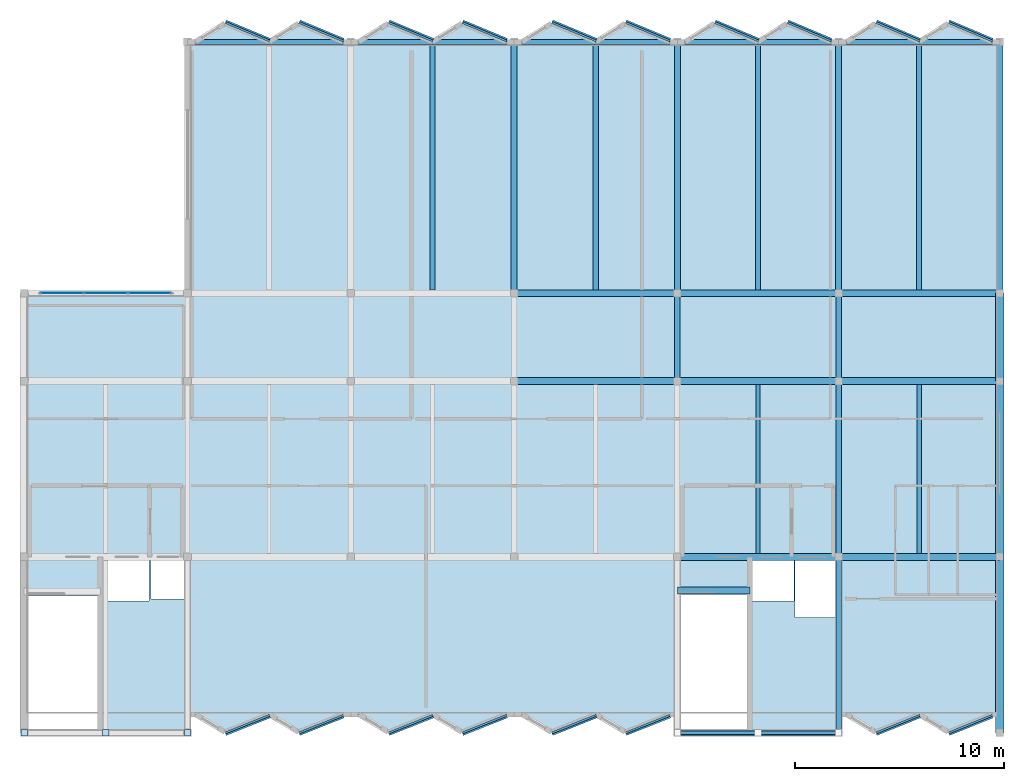
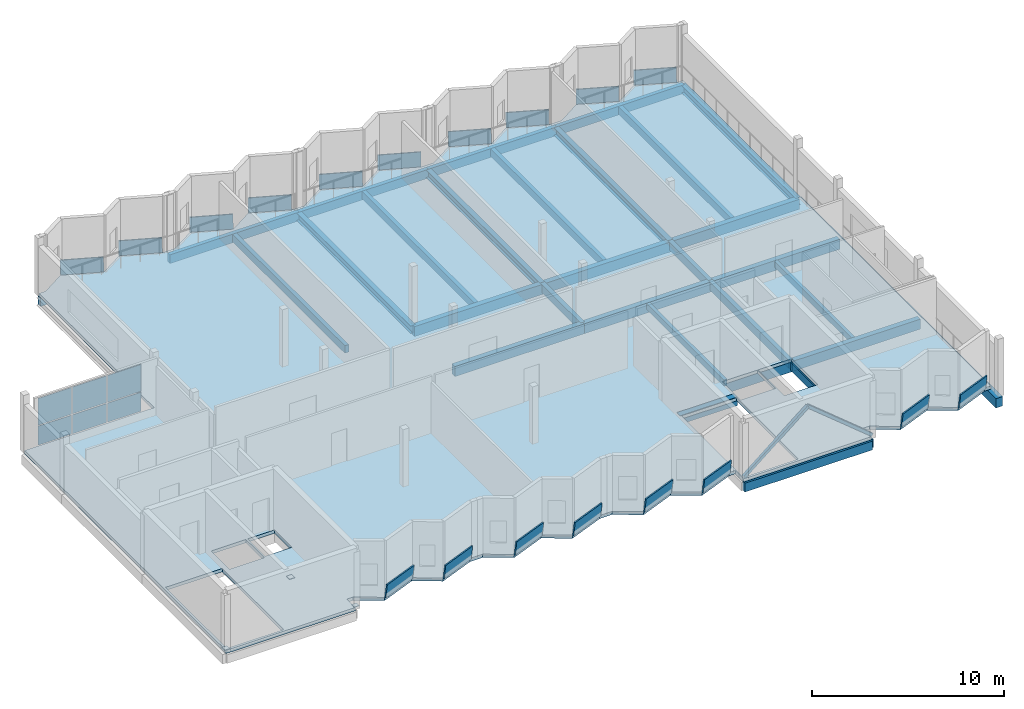
# One storey, part 3 of 8: 32 beams, 27 plates, 2 members, 1 slab, 1 element without a shape of its own.
"""IFC4 building model written with IfcOpenShell, lengths in metres."""

from ifc_helpers import new_model, si_unit, direction, frame, origin, origin_2d, place, context, subcontext, project, spatial, polyline, rectangle, hollow_rectangle, i_section, outline, extrude, material, layer, layer_set, material_profile, profile_set, type_object, element, aggregate, save


model = new_model("IFC4")

# Units and contexts
model_context = context("Model", 3, precision=1e-05, world=origin(), true_north=direction((0.0, 1.0)))
body_context = subcontext(model_context, "Body", "Model", "MODEL_VIEW")
ifc_project = project(units=[si_unit("LENGTHUNIT", "METRE"), si_unit("AREAUNIT", "SQUARE_METRE"), si_unit("VOLUMEUNIT", "CUBIC_METRE"), si_unit("PLANEANGLEUNIT", "RADIAN"), si_unit("MASSUNIT", "GRAM", prefix="KILO")], contexts=[model_context])

# Site, building, storey
site_placement = place(None, origin())
site = spatial("IfcSite", under=ifc_project, at=site_placement, CompositionType="ELEMENT")
building_placement = place(site_placement, origin())
building = spatial("IfcBuilding", under=site, at=building_placement, Name="Vharandega Faculty of Natural Sciences", CompositionType="ELEMENT")
storey_placement = place(building_placement, frame((0.0, 0.0, 43.199951171875)))
storey = spatial("IfcBuildingStorey", under=building, at=storey_placement, Name="L11", CompositionType="ELEMENT", Elevation=43.199951171875)

# Beams
ifc_material_1 = material(Name="Glulam GL28h", Category="wood")
ifc_material_profile_1 = material_profile(ifc_material_1, rectangle(XDim=0.260009765625, YDim=0.52001953125, at=origin_2d()), Name="GL28h 260x520")
ifc_profile_set_1 = profile_set([ifc_material_profile_1], Name="Glulam GL28h")
beam_type_1 = type_object("IfcBeamType", Name="Glulam Floor Beam 260x520", PredefinedType="BEAM", material=ifc_profile_set_1)
beam_1_placement = place(storey_placement, frame((146.0, 80.800048828125, -0.469970703125), z_axis=(0.0, 1.0, 0.0), x_axis=(-1.0, 0.0, 0.0)))
element("IfcBeam", 1, at=beam_1_placement, inside=storey, type_object=beam_type_1, Name="Beam L11 19/L-M", PredefinedType="BEAM", context=body_context, shape_type="SweptSolid", body=[
    extrude(rectangle(XDim=0.260009765625, YDim=0.52001953125, at=origin_2d()), origin(), (0.0, 0.0, 1.0), 4.199951171875),
])
beam_2_placement = place(storey_placement, frame((153.699951171875, 64.0, -0.469970703125), z_axis=(0.0, 1.0, 0.0), x_axis=(-1.0, 0.0, 0.0)))
element("IfcBeam", 2, at=beam_2_placement, inside=storey, type_object=beam_type_1, Name="Beam L11 20/J-K", PredefinedType="BEAM", context=body_context, shape_type="SweptSolid", body=[
    extrude(rectangle(XDim=0.260009765625, YDim=0.52001953125, at=origin_2d()), origin(), (0.0, 0.0, 1.0), 8.39990234375),
])
beam_3_placement = place(storey_placement, frame((153.699951171875, 72.39990234375, -0.469970703125), z_axis=(0.0, 1.0, 0.0), x_axis=(-1.0, 0.0, 0.0)))
element("IfcBeam", 3, at=beam_3_placement, inside=storey, type_object=beam_type_1, Name="Beam L11 20/K-L", PredefinedType="BEAM", context=body_context, shape_type="SweptSolid", body=[
    extrude(rectangle(XDim=0.260009765625, YDim=0.52001953125, at=origin_2d()), origin(), (0.0, 0.0, 1.0), 8.400146484375),
])
beam_4_placement = place(storey_placement, frame((153.699951171875, 80.800048828125, -0.469970703125), z_axis=(0.0, 1.0, 0.0), x_axis=(-1.0, 0.0, 0.0)))
element("IfcBeam", 4, at=beam_4_placement, inside=storey, type_object=beam_type_1, Name="Beam L11 20/L-M", PredefinedType="BEAM", context=body_context, shape_type="SweptSolid", body=[
    extrude(rectangle(XDim=0.260009765625, YDim=0.52001953125, at=origin_2d()), origin(), (0.0, 0.0, 1.0), 4.199951171875),
])
ifc_material_2 = material(Name="Glulam GL28h", Category="wood")
ifc_material_profile_2 = material_profile(ifc_material_2, rectangle(XDim=0.320068359375, YDim=0.639892578125, at=origin_2d()), Name="GL28h 320x640")
ifc_profile_set_2 = profile_set([ifc_material_profile_2], Name="Glulam GL28h")
beam_type_2 = type_object("IfcBeamType", Name="Glulam Floor Beam 320x640", PredefinedType="BEAM", material=ifc_profile_set_2)
for number, where, z_axis, x_axis, name in (
    (5, (146.0, 72.39990234375, -0.530029296875), (1.0, 0.0, 0.0), (0.0, 1.0, 0.0), "Beam L11 K/19-20"),
    (6, (153.699951171875, 72.39990234375, -0.530029296875), (1.0, 0.0, 0.0), (0.0, 1.0, 0.0), "Beam L11 K/20-21"),
):
    element("IfcBeam", number, at=place(storey_placement, frame(where, z_axis=z_axis, x_axis=x_axis)), inside=storey, type_object=beam_type_2, Name=name, PredefinedType="BEAM", context=body_context, shape_type="SweptSolid", body=[
        extrude(rectangle(XDim=0.320068359375, YDim=0.639892578125, at=origin_2d()), origin(), (0.0, 0.0, 1.0), 7.699951171875),
    ])
beam_5_placement = place(storey_placement, frame((138.199951171875, 80.800048828125, -0.530029296875), z_axis=(1.0, 0.0, 0.0), x_axis=(0.0, 1.0, 0.0)))
element("IfcBeam", 7, at=beam_5_placement, inside=storey, type_object=beam_type_2, Name="Beam L11 L/18-19", PredefinedType="BEAM", context=body_context, shape_type="SweptSolid", body=[
    extrude(rectangle(XDim=0.320068359375, YDim=0.639892578125, at=origin_2d()), origin(), (0.0, 0.0, 1.0), 7.800048828125),
])
for number, where, z_axis, x_axis, name in (
    (8, (146.0, 80.800048828125, -0.530029296875), (1.0, 0.0, 0.0), (0.0, 1.0, 0.0), "Beam L11 L/19-20"),
    (9, (153.699951171875, 80.800048828125, -0.530029296875), (1.0, 0.0, 0.0), (0.0, 1.0, 0.0), "Beam L11 L/20-21"),
):
    element("IfcBeam", number, at=place(storey_placement, frame(where, z_axis=z_axis, x_axis=x_axis)), inside=storey, type_object=beam_type_2, Name=name, PredefinedType="BEAM", context=body_context, shape_type="SweptSolid", body=[
        extrude(rectangle(XDim=0.320068359375, YDim=0.639892578125, at=origin_2d()), origin(), (0.0, 0.0, 1.0), 7.699951171875),
    ])
beam_6_placement = place(storey_placement, frame((138.199951171875, 85.0, -0.530029296875), z_axis=(1.0, 0.0, 0.0), x_axis=(0.0, 1.0, 0.0)))
element("IfcBeam", 10, at=beam_6_placement, inside=storey, type_object=beam_type_2, Name="Beam L11 M/18-19", PredefinedType="BEAM", context=body_context, shape_type="SweptSolid", body=[
    extrude(rectangle(XDim=0.320068359375, YDim=0.639892578125, at=origin_2d()), origin(), (0.0, 0.0, 1.0), 7.800048828125),
])
for number, where, z_axis, x_axis, name in (
    (11, (146.0, 85.0, -0.530029296875), (1.0, 0.0, 0.0), (0.0, 1.0, 0.0), "Beam L11 M/19-20"),
    (12, (153.699951171875, 85.0, -0.530029296875), (1.0, 0.0, 0.0), (0.0, 1.0, 0.0), "Beam L11 M/20-21"),
):
    element("IfcBeam", number, at=place(storey_placement, frame(where, z_axis=z_axis, x_axis=x_axis)), inside=storey, type_object=beam_type_2, Name=name, PredefinedType="BEAM", context=body_context, shape_type="SweptSolid", body=[
        extrude(rectangle(XDim=0.320068359375, YDim=0.639892578125, at=origin_2d()), origin(), (0.0, 0.0, 1.0), 7.699951171875),
    ])
ifc_material_3 = material(Name="Glulam GL28h", Category="wood")
ifc_material_profile_3 = material_profile(ifc_material_3, rectangle(XDim=0.199951171875, YDim=0.39990234375, at=origin_2d()), Name="GL28h 200x400")
ifc_profile_set_3 = profile_set([ifc_material_profile_3], Name="Glulam GL28h")
beam_type_3 = type_object("IfcBeamType", Name="Glulam Secondary Joist 200x400", PredefinedType="JOIST", material=ifc_profile_set_3)
for number, where, z_axis, x_axis, name in (
    (13, (149.85009765625, 72.56005859375, -0.409912109375), (0.0, 1.0, 0.0), (-1.0, 0.0, 0.0), "Secondary Joist L11 19-20/K-L"),
    (14, (157.550048828125, 72.56005859375, -0.409912109375), (0.0, 1.0, 0.0), (-1.0, 0.0, 0.0), "Secondary Joist L11 20-21/K-L"),
):
    element("IfcBeam", number, at=place(storey_placement, frame(where, z_axis=z_axis, x_axis=x_axis)), inside=storey, type_object=beam_type_3, Name=name, PredefinedType="JOIST", context=body_context, shape_type="SweptSolid", body=[
        extrude(rectangle(XDim=0.199951171875, YDim=0.39990234375, at=origin_2d()), origin(), (0.0, 0.0, 1.0), 8.079833984375),
    ])
ifc_material_4 = material(Name="Glulam GL28h", Category="wood")
ifc_material_profile_4 = material_profile(ifc_material_4, rectangle(XDim=0.239990234375, YDim=0.47998046875, at=origin_2d()), Name="GL28h 240x480")
ifc_profile_set_4 = profile_set([ifc_material_profile_4], Name="Glulam GL28h")
beam_type_4 = type_object("IfcBeamType", Name="Glulam Secondary Joist 240x480", PredefinedType="JOIST", material=ifc_profile_set_4)
for number, where, z_axis, x_axis, name in (
    (15, (134.300048828125, 85.159912109375, -0.449951171875), (0.0, 1.0, 0.0), (-1.0, 0.0, 0.0), "Secondary Joist L11 17-18/M-N"),
    (16, (142.10009765625, 85.159912109375, -0.449951171875), (0.0, 1.0, 0.0), (-1.0, 0.0, 0.0), "Secondary Joist L11 18-19/M-N"),
    (17, (149.85009765625, 85.159912109375, -0.449951171875), (0.0, 1.0, 0.0), (-1.0, 0.0, 0.0), "Secondary Joist L11 19-20/M-N"),
    (18, (157.550048828125, 85.159912109375, -0.449951171875), (0.0, 1.0, 0.0), (-1.0, 0.0, 0.0), "Secondary Joist L11 20-21/M-N"),
):
    element("IfcBeam", number, at=place(storey_placement, frame(where, z_axis=z_axis, x_axis=x_axis)), inside=storey, type_object=beam_type_4, Name=name, PredefinedType="JOIST", context=body_context, shape_type="SweptSolid", body=[
        extrude(rectangle(XDim=0.239990234375, YDim=0.47998046875, at=origin_2d()), origin(), (0.0, 0.0, 1.0), 11.719970703125),
    ])
ifc_material_5 = material(Name="Glulam GL28h", Category="wood")
ifc_material_profile_5 = material_profile(ifc_material_5, rectangle(XDim=0.239990234375, YDim=0.56005859375, at=origin_2d()), Name="GL28h 240x560")
ifc_profile_set_5 = profile_set([ifc_material_profile_5], Name="Glulam GL28h")
beam_type_5 = type_object("IfcBeamType", Name="Glulam Spandrel Edge Beam 240x560", PredefinedType="SPANDREL", material=ifc_profile_set_5)
beam_7_placement = place(storey_placement, frame((146.0, 64.0, -0.489990234375), z_axis=(1.0, 0.0, 0.0), x_axis=(0.0, 1.0, 0.0)))
element("IfcBeam", 19, at=beam_7_placement, inside=storey, type_object=beam_type_5, Name="Beam L11 J/19-20", PredefinedType="SPANDREL", context=body_context, shape_type="SweptSolid", body=[
    extrude(rectangle(XDim=0.239990234375, YDim=0.56005859375, at=origin_2d()), origin(), (0.0, 0.0, 1.0), 7.699951171875),
])
beam_8_placement = place(storey_placement, frame((122.60009765625, 97.0, -0.489990234375), z_axis=(1.0, 0.0, 0.0), x_axis=(0.0, 1.0, 0.0)))
element("IfcBeam", 20, at=beam_8_placement, inside=storey, type_object=beam_type_5, Name="Beam L11 N/16-17", PredefinedType="SPANDREL", context=body_context, shape_type="SweptSolid", body=[
    extrude(rectangle(XDim=0.239990234375, YDim=0.56005859375, at=origin_2d()), origin(), (0.0, 0.0, 1.0), 7.7998046875),
])
for number, where, z_axis, x_axis, name in (
    (21, (130.39990234375, 97.0, -0.489990234375), (1.0, 0.0, 0.0), (0.0, 1.0, 0.0), "Beam L11 N/17-18"),
    (22, (138.199951171875, 97.0, -0.489990234375), (1.0, 0.0, 0.0), (0.0, 1.0, 0.0), "Beam L11 N/18-19"),
):
    element("IfcBeam", number, at=place(storey_placement, frame(where, z_axis=z_axis, x_axis=x_axis)), inside=storey, type_object=beam_type_5, Name=name, PredefinedType="SPANDREL", context=body_context, shape_type="SweptSolid", body=[
        extrude(rectangle(XDim=0.239990234375, YDim=0.56005859375, at=origin_2d()), origin(), (0.0, 0.0, 1.0), 7.800048828125),
    ])
for number, where, z_axis, x_axis, name in (
    (23, (146.0, 97.0, -0.489990234375), (1.0, 0.0, 0.0), (0.0, 1.0, 0.0), "Beam L11 N/19-20"),
    (24, (153.699951171875, 97.0, -0.489990234375), (1.0, 0.0, 0.0), (0.0, 1.0, 0.0), "Beam L11 N/20-21"),
):
    element("IfcBeam", number, at=place(storey_placement, frame(where, z_axis=z_axis, x_axis=x_axis)), inside=storey, type_object=beam_type_5, Name=name, PredefinedType="SPANDREL", context=body_context, shape_type="SweptSolid", body=[
        extrude(rectangle(XDim=0.239990234375, YDim=0.56005859375, at=origin_2d()), origin(), (0.0, 0.0, 1.0), 7.699951171875),
    ])
ifc_material_6 = material(Name="Glulam GL32h", Category="wood")
ifc_material_profile_6 = material_profile(ifc_material_6, rectangle(XDim=0.39990234375, YDim=0.60009765625, at=origin_2d()), Name="GL32h 400x600")
ifc_profile_set_6 = profile_set([ifc_material_profile_6], Name="Glulam GL32h")
beam_type_6 = type_object("IfcBeamType", Name="Glulam Spine Girder 400x600", PredefinedType="BEAM", material=ifc_profile_set_6)
beam_9_placement = place(storey_placement, frame((161.39990234375, 64.0, -0.510009765625), z_axis=(0.0, 1.0, 0.0), x_axis=(-1.0, 0.0, 0.0)))
element("IfcBeam", 25, at=beam_9_placement, inside=storey, type_object=beam_type_6, Name="Beam L11 21/J-K", PredefinedType="BEAM", context=body_context, shape_type="SweptSolid", body=[
    extrude(rectangle(XDim=0.39990234375, YDim=0.60009765625, at=origin_2d()), origin(), (0.0, 0.0, 1.0), 8.39990234375),
])
beam_10_placement = place(storey_placement, frame((161.39990234375, 72.39990234375, -0.510009765625), z_axis=(0.0, 1.0, 0.0), x_axis=(-1.0, 0.0, 0.0)))
element("IfcBeam", 26, at=beam_10_placement, inside=storey, type_object=beam_type_6, Name="Beam L11 21/K-L", PredefinedType="BEAM", context=body_context, shape_type="SweptSolid", body=[
    extrude(rectangle(XDim=0.39990234375, YDim=0.60009765625, at=origin_2d()), origin(), (0.0, 0.0, 1.0), 8.400146484375),
])
beam_11_placement = place(storey_placement, frame((161.39990234375, 80.800048828125, -0.510009765625), z_axis=(0.0, 1.0, 0.0), x_axis=(-1.0, 0.0, 0.0)))
element("IfcBeam", 27, at=beam_11_placement, inside=storey, type_object=beam_type_6, Name="Beam L11 21/L-M", PredefinedType="BEAM", context=body_context, shape_type="SweptSolid", body=[
    extrude(rectangle(XDim=0.39990234375, YDim=0.60009765625, at=origin_2d()), origin(), (0.0, 0.0, 1.0), 4.199951171875),
])
ifc_material_7 = material(Name="Concrete C40/50", Category="concrete")
ifc_material_profile_7 = material_profile(ifc_material_7, rectangle(XDim=0.35009765625, YDim=0.550048828125, at=origin_2d()), Name="RC 350x550")
ifc_profile_set_7 = profile_set([ifc_material_profile_7], Name="Concrete C40/50")
beam_type_7 = type_object("IfcBeamType", Name="Stair Header Trimmer Beam 350x550", PredefinedType="BEAM", material=ifc_profile_set_7)
beam_12_placement = place(storey_placement, frame((146.0, 70.800048828125, -0.27490234375), z_axis=(1.0, 0.0, 0.0), x_axis=(0.0, 1.0, 0.0)))
element("IfcBeam", 28, at=beam_12_placement, inside=storey, type_object=beam_type_7, Name="Stair Landing Trimmer Beam C2 L11", PredefinedType="BEAM", context=body_context, shape_type="SweptSolid", body=[
    extrude(rectangle(XDim=0.35009765625, YDim=0.550048828125, at=origin_2d()), origin(), (0.0, 0.0, 1.0), 3.4599609375),
])
ifc_material_8 = material(Name="Steel S355", Category="steel")
ifc_material_profile_8 = material_profile(ifc_material_8, i_section(OverallWidth=0.300048828125, OverallDepth=0.5, WebThickness=0.014404296875, FlangeThickness=0.028076171875, FilletRadius=0.027099609375, at=origin_2d()), Name="HEB 500")
ifc_profile_set_8 = profile_set([ifc_material_profile_8], Name="Steel S355")
beam_type_8 = type_object("IfcBeamType", Name="Steel Collector Beam HEB 500", PredefinedType="BEAM", material=ifc_profile_set_8)
for number, where, z_axis, x_axis, name in (
    (29, (138.199951171875, 85.0, -0.4599609375), (0.0, 1.0, 0.0), (-1.0, 0.0, 0.0), "Beam L11 18/M-N"),
    (30, (146.0, 85.0, -0.4599609375), (0.0, 1.0, 0.0), (-1.0, 0.0, 0.0), "Beam L11 19/M-N"),
    (31, (153.699951171875, 85.0, -0.4599609375), (0.0, 1.0, 0.0), (-1.0, 0.0, 0.0), "Beam L11 20/M-N"),
    (32, (161.39990234375, 85.0, -0.4599609375), (0.0, 1.0, 0.0), (-1.0, 0.0, 0.0), "Beam L11 21/M-N"),
):
    element("IfcBeam", number, at=place(storey_placement, frame(where, z_axis=z_axis, x_axis=x_axis)), inside=storey, type_object=beam_type_8, Name=name, PredefinedType="BEAM", context=body_context, shape_type="SweptSolid", body=[
        extrude(i_section(OverallWidth=0.300048828125, OverallDepth=0.5, WebThickness=0.014404296875, FlangeThickness=0.028076171875, FilletRadius=0.027099609375, at=origin_2d()), origin(), (0.0, 0.0, 1.0), 12.0),
    ])

# Members
ifc_material_9 = material(Name="Steel S355", Category="steel")
ifc_material_profile_9 = material_profile(ifc_material_9, hollow_rectangle(XDim=0.179931640625, YDim=0.179931640625, WallThickness=0.010009765625, at=origin_2d()), Name="SHS 180x180x10")
ifc_profile_set_9 = profile_set([ifc_material_profile_9], Name="Steel S355")
member_type = type_object("IfcMemberType", Name="Timber Frame Diagonal Brace SHS 180", PredefinedType="BRACE", material=ifc_profile_set_9)
for number, where, z_axis, x_axis, name in (
    (33, (146.0, 64.0, 0.150146484375), (0.772988928278, 0.0, 0.634419511648), (0.0, 1.0, 0.0), "Chevron Brace J2 L11-1"),
    (34, (153.699951171875, 64.0, 0.150146484375), (-0.77296919863, 0.0, 0.634443549868), (0.0, -1.0, 0.0), "Chevron Brace J2 L11-2"),
):
    element("IfcMember", number, at=place(storey_placement, frame(where, z_axis=z_axis, x_axis=x_axis)), inside=storey, type_object=member_type, Name=name, PredefinedType="BRACE", context=body_context, shape_type="SweptSolid", body=[
        extrude(hollow_rectangle(XDim=0.179931640625, YDim=0.179931640625, WallThickness=0.010009765625, at=origin_2d()), origin(), (0.0, 0.0, 1.0), 4.980712890625),
    ])

# Curtain wall, plates
ifc_material_10 = material(Name="Aluminium and solar-control glass curtain wall", Category="aluminium")
curtain_wall_type = type_object("IfcCurtainWallType", Name="Unitised Curtain Wall System CW-05", PredefinedType="NOTDEFINED", material=ifc_material_10)
curtain_wall_placement = place(storey_placement, origin())
curtain_wall = element("IfcCurtainWall", 35, at=curtain_wall_placement, inside=storey, type_object=curtain_wall_type, Name="Curtain Wall CW-L11-032", PredefinedType="NOTDEFINED")
ifc_material_11 = material(Name="Double-glazed low-E solar glass", Category="glass")
ifc_layer_1 = layer(ifc_material_11, 0.028076171875, Name="Double-glazed low-E solar glass")
ifc_layer_set_1 = layer_set([ifc_layer_1], Name="Double-glazed low-E solar glass")
plate_type_1 = type_object("IfcPlateType", Name="CW Solar Vision Panel 28mm", PredefinedType="CURTAIN_PANEL", material=ifc_layer_set_1)
plate_1_placement = place(storey_placement, frame((116.6083984375, 85.0, 0.06005859375), z_axis=(0.0, 0.0, 1.0), x_axis=(1.0, 0.0, 0.0)))
plate_1 = element("IfcPlate", 36, at=plate_1_placement, type_object=plate_type_1, Name="CW-05 panel 1.1", PredefinedType="CURTAIN_PANEL", context=body_context, shape_type="SweptSolid", body=[
    extrude(rectangle(XDim=2.0166015625, YDim=0.028076171875, at=origin_2d()), origin(), (0.0, 0.0, 1.0), 1.2119140625),
])
plate_2_placement = place(storey_placement, frame((116.6083984375, 85.0, 1.33203125), z_axis=(0.0, 0.0, 1.0), x_axis=(1.0, 0.0, 0.0)))
plate_2 = element("IfcPlate", 37, at=plate_2_placement, type_object=plate_type_1, Name="CW-05 panel 1.2", PredefinedType="CURTAIN_PANEL", context=body_context, shape_type="SweptSolid", body=[
    extrude(rectangle(XDim=2.0166015625, YDim=0.028076171875, at=origin_2d()), origin(), (0.0, 0.0, 1.0), 1.7080078125),
])
plate_3_placement = place(storey_placement, frame((118.699951171875, 85.0, 0.06005859375), z_axis=(0.0, 0.0, 1.0), x_axis=(1.0, 0.0, 0.0)))
plate_3 = element("IfcPlate", 38, at=plate_3_placement, type_object=plate_type_1, Name="CW-05 panel 2.1", PredefinedType="CURTAIN_PANEL", context=body_context, shape_type="SweptSolid", body=[
    extrude(rectangle(XDim=2.046630859375, YDim=0.028076171875, at=origin_2d()), origin(), (0.0, 0.0, 1.0), 1.2119140625),
])
plate_4_placement = place(storey_placement, frame((118.699951171875, 85.0, 1.33203125), z_axis=(0.0, 0.0, 1.0), x_axis=(1.0, 0.0, 0.0)))
plate_4 = element("IfcPlate", 39, at=plate_4_placement, type_object=plate_type_1, Name="CW-05 panel 2.2", PredefinedType="CURTAIN_PANEL", context=body_context, shape_type="SweptSolid", body=[
    extrude(rectangle(XDim=2.046630859375, YDim=0.028076171875, at=origin_2d()), origin(), (0.0, 0.0, 1.0), 1.7080078125),
])
plate_5_placement = place(storey_placement, frame((120.791748046875, 85.0, 0.06005859375), z_axis=(0.0, 0.0, 1.0), x_axis=(1.0, 0.0, 0.0)))
plate_5 = element("IfcPlate", 40, at=plate_5_placement, type_object=plate_type_1, Name="CW-05 panel 3.1", PredefinedType="CURTAIN_PANEL", context=body_context, shape_type="SweptSolid", body=[
    extrude(rectangle(XDim=2.0166015625, YDim=0.028076171875, at=origin_2d()), origin(), (0.0, 0.0, 1.0), 1.2119140625),
])
plate_6_placement = place(storey_placement, frame((120.791748046875, 85.0, 1.33203125), z_axis=(0.0, 0.0, 1.0), x_axis=(1.0, 0.0, 0.0)))
plate_6 = element("IfcPlate", 41, at=plate_6_placement, type_object=plate_type_1, Name="CW-05 panel 3.2", PredefinedType="CURTAIN_PANEL", context=body_context, shape_type="SweptSolid", body=[
    extrude(rectangle(XDim=2.0166015625, YDim=0.028076171875, at=origin_2d()), origin(), (0.0, 0.0, 1.0), 1.7080078125),
])
aggregate(curtain_wall, [plate_1, plate_2, plate_3, plate_4, plate_5, plate_6])

# Plates
ifc_material_12 = material(Name="Steel S355", Category="steel")
ifc_layer_2 = layer(ifc_material_12, 0.02490234375, Name="Steel S355")
ifc_layer_set_2 = layer_set([ifc_layer_2], Name="Steel S355")
plate_type_2 = type_object("IfcPlateType", Name="Hollow Section End Cap Plate 25mm", PredefinedType="USERDEFINED", material=ifc_layer_set_2)
plate_7_placement = place(storey_placement, frame((114.800048828125, 64.0, 0.1376953125), z_axis=(0.0, 0.0, 1.0), x_axis=(1.0, 0.0, 0.0)))
element("IfcPlate", 42, at=plate_7_placement, inside=storey, type_object=plate_type_2, Name="Node Cap Plate CHV-J-L11 #86", ObjectType="CAP PLATE", PredefinedType="USERDEFINED", context=body_context, shape_type="SweptSolid", body=[
    extrude(rectangle(XDim=0.300048828125, YDim=0.300048828125, at=origin_2d()), origin(), (0.0, 0.0, 1.0), 0.02490234375),
])
plate_8_placement = place(storey_placement, frame((118.699951171875, 64.0, 3.297607421875), z_axis=(0.0, 0.0, 1.0), x_axis=(1.0, 0.0, 0.0)))
element("IfcPlate", 43, at=plate_8_placement, inside=storey, type_object=plate_type_2, Name="Node Cap Plate CHV-J-L11 #87", ObjectType="CAP PLATE", PredefinedType="USERDEFINED", context=body_context, shape_type="SweptSolid", body=[
    extrude(rectangle(XDim=0.320068359375, YDim=0.320068359375, at=origin_2d()), origin(), (0.0, 0.0, 1.0), 0.02490234375),
])
plate_9_placement = place(storey_placement, frame((122.60009765625, 64.0, 0.1376953125), z_axis=(0.0, 0.0, 1.0), x_axis=(1.0, 0.0, 0.0)))
element("IfcPlate", 44, at=plate_9_placement, inside=storey, type_object=plate_type_2, Name="Node Cap Plate CHV-J-L11 #88", ObjectType="CAP PLATE", PredefinedType="USERDEFINED", context=body_context, shape_type="SweptSolid", body=[
    extrude(rectangle(XDim=0.300048828125, YDim=0.300048828125, at=origin_2d()), origin(), (0.0, 0.0, 1.0), 0.02490234375),
])

# Slab
ifc_material_13 = material(Name="Cross-laminated timber CLT5-180", Category="wood")
ifc_layer_3 = layer(ifc_material_13, 0.2099609375, Name="Cross-laminated timber CLT5-180")
ifc_layer_set_3 = layer_set([ifc_layer_3], Name="Cross-laminated timber CLT5-180")
slab_type = type_object("IfcSlabType", Name="SLAB-CLT-210", PredefinedType="FLOOR", material=ifc_layer_set_3)
slab_placement = place(storey_placement, frame((0.0, 0.0, -0.2099609375)))
element("IfcSlab", 45, at=slab_placement, inside=storey, type_object=slab_type, Name="L11 V4 Floor Slab", PredefinedType="FLOOR", context=body_context, shape_type="SweptSolid", body=[
    extrude(outline(polyline([(114.800048828125, 64.0), (122.60009765625, 64.0), (122.60009765625, 64.8798828125), (122.97998046875, 64.8798828125), (124.387939453125, 64.0400390625), (126.5, 64.8798828125), (126.5, 64.8798828125), (127.907958984375, 64.0400390625), (130.02001953125, 64.8798828125), (130.780029296875, 64.8798828125), (132.18798828125, 64.0400390625), (134.300048828125, 64.8798828125), (134.300048828125, 64.8798828125), (135.7080078125, 64.0400390625), (137.820068359375, 64.8798828125), (138.580078125, 64.8798828125), (139.988037109375, 64.0400390625), (142.10009765625, 64.8798828125), (142.10009765625, 64.8798828125), (143.508056640625, 64.0400390625), (145.6201171875, 64.8798828125), (146.0, 64.8798828125), (146.0, 64.0), (153.699951171875, 64.0), (153.699951171875, 64.8798828125), (154.080078125, 64.8798828125), (155.468017578125, 64.0400390625), (157.550048828125, 64.8798828125), (157.550048828125, 64.8798828125), (158.93798828125, 64.0400390625), (161.02001953125, 64.8798828125), (161.39990234375, 64.8798828125), (161.39990234375, 64.0), (161.39990234375, 97.0), (161.02001953125, 97.0), (158.93798828125, 97.8798828125), (157.550048828125, 97.0), (157.550048828125, 97.0), (155.468017578125, 97.8798828125), (154.080078125, 97.0), (153.320068359375, 97.0), (151.238037109375, 97.8798828125), (149.85009765625, 97.0), (149.85009765625, 97.0), (147.76806640625, 97.8798828125), (146.3798828125, 97.0), (145.6201171875, 97.0), (143.508056640625, 97.8798828125), (142.10009765625, 97.0), (142.10009765625, 97.0), (139.988037109375, 97.8798828125), (138.580078125, 97.0), (137.820068359375, 97.0), (135.7080078125, 97.8798828125), (134.300048828125, 97.0), (134.300048828125, 97.0), (132.18798828125, 97.8798828125), (130.780029296875, 97.0), (130.02001953125, 97.0), (127.907958984375, 97.8798828125), (126.5, 97.0), (126.5, 97.0), (124.387939453125, 97.8798828125), (122.97998046875, 97.0), (122.60009765625, 97.0), (122.60009765625, 85.0), (114.800048828125, 85.0), (114.800048828125, 64.0)]), holes=[polyline([(114.93994140625, 70.544921875), (114.93994140625, 64.139892578125), (118.360107421875, 64.139892578125), (118.360107421875, 70.544921875), (114.93994140625, 70.544921875)]), polyline([(118.64990234375, 70.300048828125), (120.75, 70.300048828125), (120.75, 72.219970703125), (118.64990234375, 72.219970703125), (118.64990234375, 70.300048828125)]), polyline([(120.85009765625, 70.39990234375), (122.47998046875, 70.39990234375), (122.47998046875, 72.219970703125), (120.85009765625, 72.219970703125), (120.85009765625, 70.39990234375)]), polyline([(146.06005859375, 70.594970703125), (146.06005859375, 64.139892578125), (149.3798828125, 64.139892578125), (149.3798828125, 70.594970703125), (146.06005859375, 70.594970703125)]), polyline([(149.449951171875, 70.300048828125), (151.570068359375, 70.300048828125), (151.570068359375, 72.219970703125), (149.449951171875, 72.219970703125), (149.449951171875, 70.300048828125)]), polyline([(151.6201171875, 69.5), (153.639892578125, 69.5), (153.639892578125, 72.219970703125), (151.6201171875, 72.219970703125), (151.6201171875, 69.5)])]), origin(), (0.0, 0.0, 1.0), 0.2099609375),
])

# Plates
ifc_material_14 = material(Name="White precast concrete C40/50", Category="concrete")
ifc_layer_4 = layer(ifc_material_14, 0.080078125, Name="White precast concrete C40/50")
ifc_layer_set_4 = layer_set([ifc_layer_4], Name="White precast concrete C40/50")
plate_type_3 = type_object("IfcPlateType", Name="Sawtooth Tilted White Precast Prism 80", PredefinedType="USERDEFINED", material=ifc_layer_set_4)
for number, where, z_axis, x_axis, name in (
    (46, (124.387939453125, 97.8798828125, 0.0), (-0.382131449595, -0.917136682049, 0.113295461824), (0.043496900523, 0.104613040576, 0.993561337506), "Sawtooth Tilted Precast Prism L11 N01"),
    (47, (127.907958984375, 97.8798828125, 0.0), (-0.382131449595, -0.917136682049, 0.113295461824), (0.043496900523, 0.104613040576, 0.993561337506), "Sawtooth Tilted Precast Prism L11 N02"),
    (48, (132.18798828125, 97.8798828125, 0.0), (-0.382131449595, -0.917136682049, 0.113295461824), (0.043496900523, 0.104613040576, 0.993561337506), "Sawtooth Tilted Precast Prism L11 N03"),
    (49, (135.7080078125, 97.8798828125, 0.0), (-0.382131449595, -0.917136682049, 0.113295461824), (0.043496900523, 0.104613040576, 0.993561337506), "Sawtooth Tilted Precast Prism L11 N04"),
    (50, (139.988037109375, 97.8798828125, 0.0), (-0.382131449595, -0.917136682049, 0.113295461824), (0.043496900523, 0.104613040576, 0.993561337506), "Sawtooth Tilted Precast Prism L11 N05"),
    (51, (143.508056640625, 97.8798828125, 0.0), (-0.382131449595, -0.917136682049, 0.113295461824), (0.043496900523, 0.104613040576, 0.993561337506), "Sawtooth Tilted Precast Prism L11 N06"),
):
    element("IfcPlate", number, at=place(storey_placement, frame(where, z_axis=z_axis, x_axis=x_axis)), inside=storey, type_object=plate_type_3, Name=name, ObjectType="FACADE PRISM", PredefinedType="USERDEFINED", context=body_context, shape_type="SweptSolid", body=[
        extrude(outline(polyline([(0.0, 0.0), (0.8858432830590729, -2.4123498337802474e-18), (0.8856386139049282, -2.2881047075821503), (-0.00017912886103543801, -2.288010811333226), (0.0, 0.0)])), origin(), (0.0, 0.0, -1.0), 0.080078125),
    ])
plate_10_placement = place(storey_placement, frame((147.76806640625, 97.8798828125, 0.0), z_axis=(-0.386819123721, -0.915187539768, 0.113149160742), x_axis=(0.043772749275, 0.104339681729, 0.993577967367)))
element("IfcPlate", 52, at=plate_10_placement, inside=storey, type_object=plate_type_3, Name="Sawtooth Tilted Precast Prism L11 N07", ObjectType="FACADE PRISM", PredefinedType="USERDEFINED", context=body_context, shape_type="SweptSolid", body=[
    extrude(outline(polyline([(0.0, 0.0), (0.8858284128097864, -1.2088854223213374e-17), (0.8851324785280927, -2.2604152456547437), (-0.0006704607265840684, -2.2603202046858644), (0.0, 0.0)])), origin(), (0.0, 0.0, -1.0), 0.080078125),
])
plate_11_placement = place(storey_placement, frame((151.238037109375, 97.8798828125, 0.0), z_axis=(-0.386836017729, -0.915173849683, 0.113202121202), x_axis=(0.044027200737, 0.104289636995, 0.993571978878)))
element("IfcPlate", 53, at=plate_11_placement, inside=storey, type_object=plate_type_3, Name="Sawtooth Tilted Precast Prism L11 N08", ObjectType="FACADE PRISM", PredefinedType="USERDEFINED", context=body_context, shape_type="SweptSolid", body=[
    extrude(outline(polyline([(0.0, 0.0), (0.885839137791189, -3.415236843329339e-18), (0.885706276295778, -2.260190474155651), (-9.665132994901571e-05, -2.260320299229094), (0.0, 0.0)])), origin(), (0.0, 0.0, -1.0), 0.080078125),
])
for number, where, z_axis, x_axis, name in (
    (54, (155.468017578125, 97.8798828125, 0.0), (-0.386814425214, -0.915176423422, 0.113255085797), (0.04404782393, 0.104338420428, 0.993565943071), "Sawtooth Tilted Precast Prism L11 N09"),
    (55, (158.93798828125, 97.8798828125, 0.0), (-0.386814425214, -0.915176423422, 0.113255085797), (0.04404782393, 0.104338420428, 0.993565943071), "Sawtooth Tilted Precast Prism L11 N10"),
):
    element("IfcPlate", number, at=place(storey_placement, frame(where, z_axis=z_axis, x_axis=x_axis)), inside=storey, type_object=plate_type_3, Name=name, ObjectType="FACADE PRISM", PredefinedType="USERDEFINED", context=body_context, shape_type="SweptSolid", body=[
        extrude(outline(polyline([(0.0, 0.0), (0.8858391450049449, -4.689174395999807e-18), (0.8857170348561202, -2.260415349488305), (-9.663690164997407e-05, -2.260320302056845), (0.0, 0.0)])), origin(), (0.0, 0.0, -1.0), 0.080078125),
    ])
for number, where, z_axis, x_axis, name in (
    (56, (126.5, 64.8798828125, 0.0), (-0.36717261721, 0.923240898557, 0.113183534151), (0.041940043893, -0.105126399242, 0.993574090293), "Sawtooth Tilted Precast Prism L11 S01"),
    (57, (130.02001953125, 64.8798828125, 0.0), (-0.36717261721, 0.923240898557, 0.113183534151), (0.041940043893, -0.105126399242, 0.993574090293), "Sawtooth Tilted Precast Prism L11 S02"),
    (58, (134.300048828125, 64.8798828125, 0.0), (-0.36717261721, 0.923240898557, 0.113183534151), (0.041940043893, -0.105126399242, 0.993574090293), "Sawtooth Tilted Precast Prism L11 S03"),
    (59, (137.820068359375, 64.8798828125, 0.0), (-0.36717261721, 0.923240898557, 0.113183534151), (0.041940043893, -0.105126399242, 0.993574090293), "Sawtooth Tilted Precast Prism L11 S04"),
    (60, (142.10009765625, 64.8798828125, 0.0), (-0.36717261721, 0.923240898557, 0.113183534151), (0.041940043893, -0.105126399242, 0.993574090293), "Sawtooth Tilted Precast Prism L11 S05"),
):
    element("IfcPlate", number, at=place(storey_placement, frame(where, z_axis=z_axis, x_axis=x_axis)), inside=storey, type_object=plate_type_3, Name=name, ObjectType="FACADE PRISM", PredefinedType="USERDEFINED", context=body_context, shape_type="SweptSolid", body=[
        extrude(outline(polyline([(0.0, 0.0), (0.8858063086639586, 2.8189256484623115e-18), (0.885541811611994, -2.2730040332081765), (-0.0002901626767796289, -2.2729138085691347), (0.0, 0.0)])), origin(), (0.0, 0.0, -1.0), 0.080078125),
    ])
plate_12_placement = place(storey_placement, frame((145.6201171875, 64.8798828125, 0.0), z_axis=(-0.367193057396, 0.923238931261, 0.113133259493), x_axis=(0.041683493044, -0.105174327478, 0.993579814231)))
element("IfcPlate", 61, at=plate_12_placement, inside=storey, type_object=plate_type_3, Name="Sawtooth Tilted Precast Prism L11 S06", ObjectType="FACADE PRISM", PredefinedType="USERDEFINED", context=body_context, shape_type="SweptSolid", body=[
    extrude(outline(polyline([(0.0, 0.0), (0.8857961075491512, -4.038653092508504e-18), (0.8861239019883672, -2.2727771702079815), (0.0002919404791278668, -2.2729138056770015), (0.0, 0.0)])), origin(), (0.0, 0.0, -1.0), 0.080078125),
])
plate_13_placement = place(storey_placement, frame((157.550048828125, 64.8798828125, 0.0), z_axis=(-0.371754662438, 0.921417783443, 0.113082886903), x_axis=(0.042235924451, -0.104899344031, 0.993585554599)))
element("IfcPlate", 62, at=plate_13_placement, inside=storey, type_object=plate_type_3, Name="Sawtooth Tilted Precast Prism L11 S07", ObjectType="FACADE PRISM", PredefinedType="USERDEFINED", context=body_context, shape_type="SweptSolid", body=[
    extrude(outline(polyline([(0.0, 0.0), (0.8857909598393249, 1.5720931501039814e-18), (0.8859894254192983, -2.2449020398286774), (0.0001625438835664711, -2.245037104159077), (0.0, 0.0)])), origin(), (0.0, 0.0, -1.0), 0.080078125),
])
plate_14_placement = place(storey_placement, frame((161.02001953125, 64.8798828125, 0.0), z_axis=(-0.371733749525, 0.921419972664, 0.113133785583), x_axis=(0.042491999403, -0.10485091572, 0.993579747911)))
element("IfcPlate", 63, at=plate_14_placement, inside=storey, type_object=plate_type_3, Name="Sawtooth Tilted Precast Prism L11 S08", ObjectType="FACADE PRISM", PredefinedType="USERDEFINED", context=body_context, shape_type="SweptSolid", body=[
    extrude(outline(polyline([(0.0, 0.0), (0.8858012956791438, 3.2526065174565133e-18), (0.8854156096633148, -2.245128421392932), (-0.00041128438392465383, -2.245037075102431), (0.0, 0.0)])), origin(), (0.0, 0.0, -1.0), 0.080078125),
])

save(model, "model.ifc")
